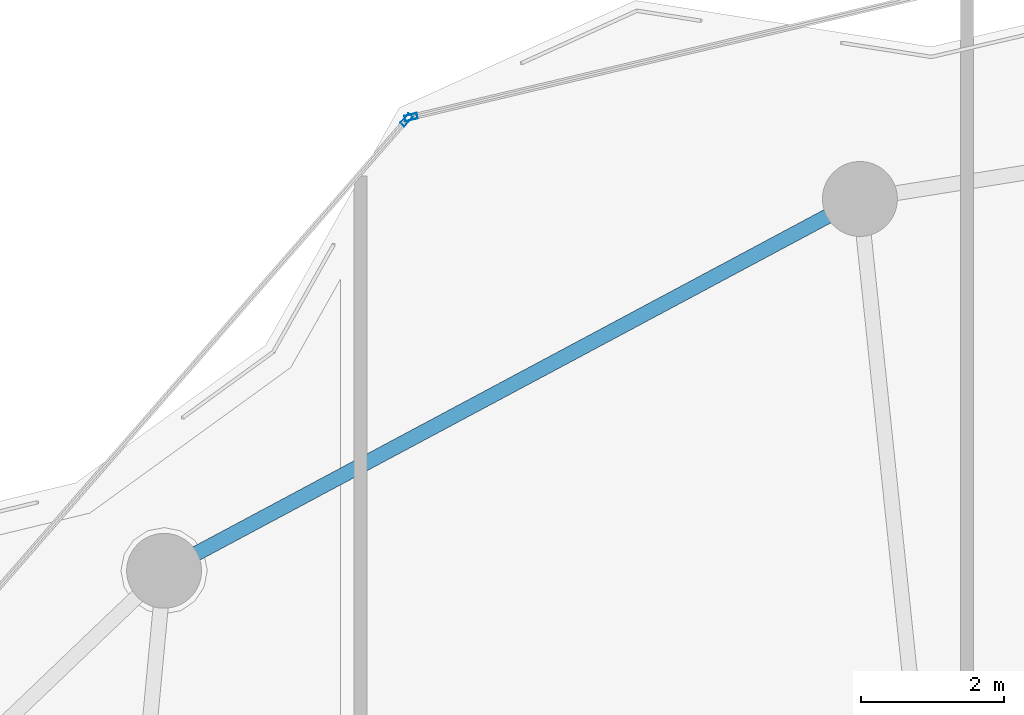
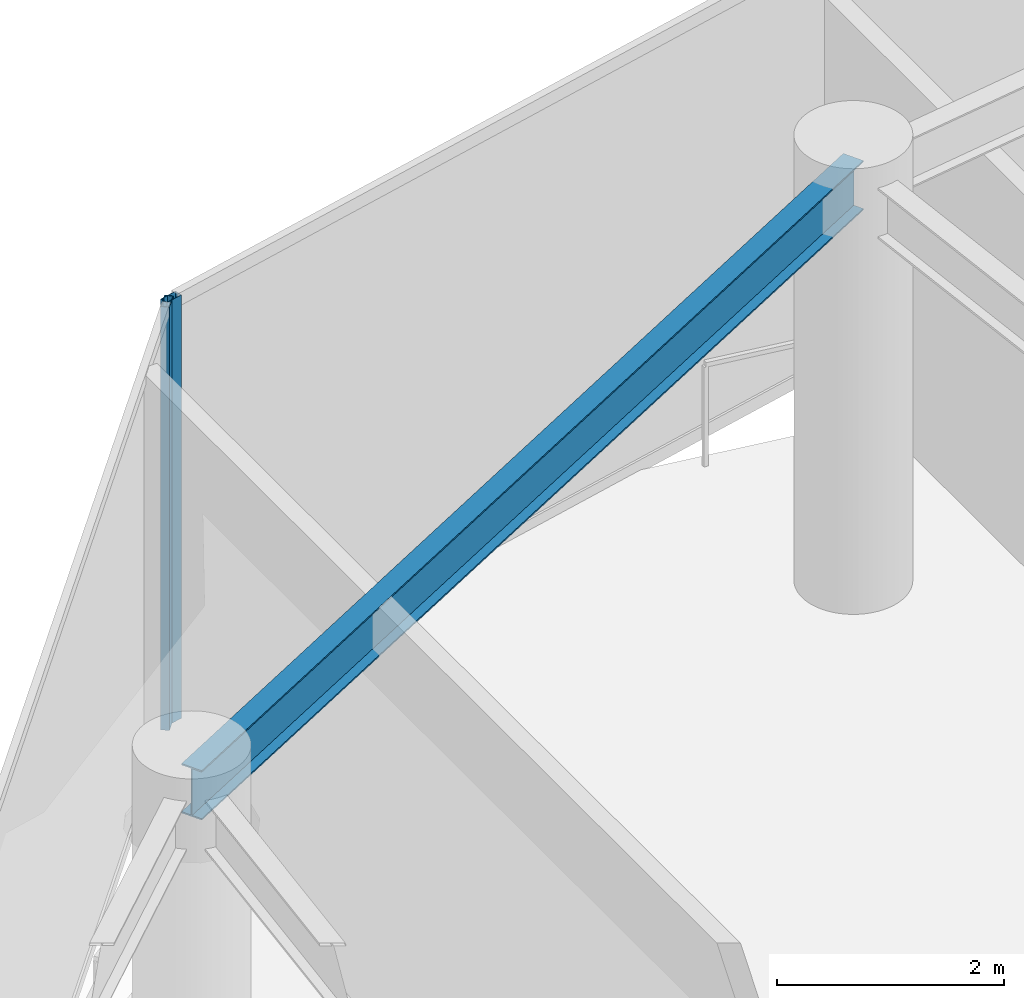
# One storey, part 17 of 28: 2 members, 1 beam, 2 elements without a shape of their own.
"""IFC4 building model written with IfcOpenShell, lengths in metres."""

from ifc_helpers import new_model, si_unit, direction, frame, origin, origin_2d, place, context, subcontext, project, spatial, hollow_rectangle, i_section, extrude, material, layer, layer_set, material_profile, profile_set, type_object, element, aggregate, save


model = new_model("IFC4")

# Units and contexts
model_context = context("Model", 3, precision=1e-05, world=origin(), true_north=direction((0.0, 1.0)))
body_context = subcontext(model_context, "Body", "Model", "MODEL_VIEW")
ifc_project = project(units=[si_unit("LENGTHUNIT", "METRE"), si_unit("AREAUNIT", "SQUARE_METRE"), si_unit("VOLUMEUNIT", "CUBIC_METRE"), si_unit("PLANEANGLEUNIT", "RADIAN"), si_unit("MASSUNIT", "GRAM", prefix="KILO")], contexts=[model_context])

# Site, building, storey
site_placement = place(None, origin())
site = spatial("IfcSite", under=ifc_project, at=site_placement, CompositionType="ELEMENT")
building_placement = place(site_placement, origin())
building = spatial("IfcBuilding", under=site, at=building_placement, Name="Kazevale Care Tower and Concert Hall", CompositionType="ELEMENT")
storey_placement = place(building_placement, frame((0.0, 0.0, 190.800048828125)))
storey = spatial("IfcBuildingStorey", under=building, at=storey_placement, Name="L50", CompositionType="ELEMENT", Elevation=190.800048828125)

# Curtain wall, member
ifc_material_1 = material(Name="Aluminium 6063-T6 and Low-E Glass", Category="aluminium")
ifc_layer_1 = layer(ifc_material_1, 0.179931640625)
ifc_layer_set_1 = layer_set([ifc_layer_1], Name="Aluminium 6063-T6 and Low-E Glass")
curtain_wall_type_1 = type_object("IfcCurtainWallType", Name="Convex Checkerboard Finned Curtain Wall CW-2", PredefinedType="NOTDEFINED", material=ifc_layer_set_1)
curtain_wall_1_placement = place(storey_placement, origin())
curtain_wall_1 = element("IfcCurtainWall", 1, at=curtain_wall_1_placement, inside=storey, type_object=curtain_wall_type_1, Name="cw:L50:f14", PredefinedType="NOTDEFINED")
ifc_material_2 = material(Name="Aluminium 6063-T6", Category="aluminium")
ifc_material_profile_1 = material_profile(ifc_material_2, hollow_rectangle(XDim=0.080078125, YDim=0.179931640625, WallThickness=0.0048828125, at=origin_2d()), Name="ALU80x180x5")
ifc_profile_set_1 = profile_set([ifc_material_profile_1], Name="Aluminium 6063-T6")
member_type_1 = type_object("IfcMemberType", Name="CW-2 Mullion ALU80x180x5", PredefinedType="MULLION", material=ifc_profile_set_1)
member_1_placement = place(storey_placement, frame((27.145751953125, 61.326904296875, 0.0), z_axis=(0.0, 0.0, 1.0), x_axis=(-0.753738225685, 0.657174776708, 0.0)))
member_1 = element("IfcMember", 2, at=member_1_placement, type_object=member_type_1, Name="CW-2 mullion 2", PredefinedType="MULLION", context=body_context, shape_type="SweptSolid", body=[
    extrude(hollow_rectangle(XDim=0.080078125, YDim=0.179931640625, WallThickness=0.0048828125, at=origin_2d()), origin(), (0.0, 0.0, 1.0), 4.56005859375),
])
aggregate(curtain_wall_1, [member_1])

ifc_layer_2 = layer(ifc_material_1, 0.179931640625)
ifc_layer_set_2 = layer_set([ifc_layer_2], Name="Aluminium 6063-T6 and Low-E Glass")
curtain_wall_type_2 = type_object("IfcCurtainWallType", Name="Waist & Upper Residential Curtain Wall CW-4", PredefinedType="NOTDEFINED", material=ifc_layer_set_2)
curtain_wall_2_placement = place(storey_placement, origin())
curtain_wall_2 = element("IfcCurtainWall", 3, at=curtain_wall_2_placement, inside=storey, type_object=curtain_wall_type_2, Name="cw:L50:f15", PredefinedType="NOTDEFINED")
ifc_material_profile_2 = material_profile(ifc_material_2, hollow_rectangle(XDim=0.080078125, YDim=0.179931640625, WallThickness=0.0048828125, at=origin_2d()), Name="ALU80x180x5")
ifc_profile_set_2 = profile_set([ifc_material_profile_2], Name="Aluminium 6063-T6")
member_type_2 = type_object("IfcMemberType", Name="CW-4 Mullion ALU80x180x5", PredefinedType="MULLION", material=ifc_profile_set_2)
member_2_placement = place(storey_placement, frame((27.2109375, 61.3662109375, 0.0), z_axis=(0.0, 0.0, 1.0), x_axis=(-0.230439111929, 0.973086746233, 0.0)))
member_2 = element("IfcMember", 4, at=member_2_placement, type_object=member_type_2, Name="CW-4 mullion 1", PredefinedType="MULLION", context=body_context, shape_type="SweptSolid", body=[
    extrude(hollow_rectangle(XDim=0.080078125, YDim=0.179931640625, WallThickness=0.0048828125, at=origin_2d()), origin(), (0.0, 0.0, 1.0), 4.56005859375),
])
aggregate(curtain_wall_2, [member_2])

# Beam
ifc_material_3 = material(Name="Steel ASTM A572 Gr 50", Category="steel")
ifc_material_profile_3 = material_profile(ifc_material_3, i_section(OverallWidth=0.208984375, OverallDepth=0.532958984375, WebThickness=0.01025390625, FlangeThickness=0.015625, at=origin_2d()), Name="W530x92")
ifc_profile_set_3 = profile_set([ifc_material_profile_3], Name="Steel ASTM A572 Gr 50")
beam_type = type_object("IfcBeamType", Name="Upper Ring Beam W530x92", PredefinedType="BEAM", material=ifc_profile_set_3)
beam_placement = place(storey_placement, frame((33.5, 60.219970703125, 4.29345703125), z_axis=(-0.881978519833, -0.471289603697, 0.0), x_axis=(0.471289603697, -0.881978519833, 0.0)))
element("IfcBeam", 5, at=beam_placement, inside=storey, type_object=beam_type, Name="beam:L50:ring:06", PredefinedType="BEAM", context=body_context, shape_type="SweptSolid", body=[
    extrude(i_section(OverallWidth=0.208984375, OverallDepth=0.532958984375, WebThickness=0.01025390625, FlangeThickness=0.015625, at=origin_2d()), origin(), (0.0, 0.0, 1.0), 11.0546875),
])

save(model, "model.ifc")
